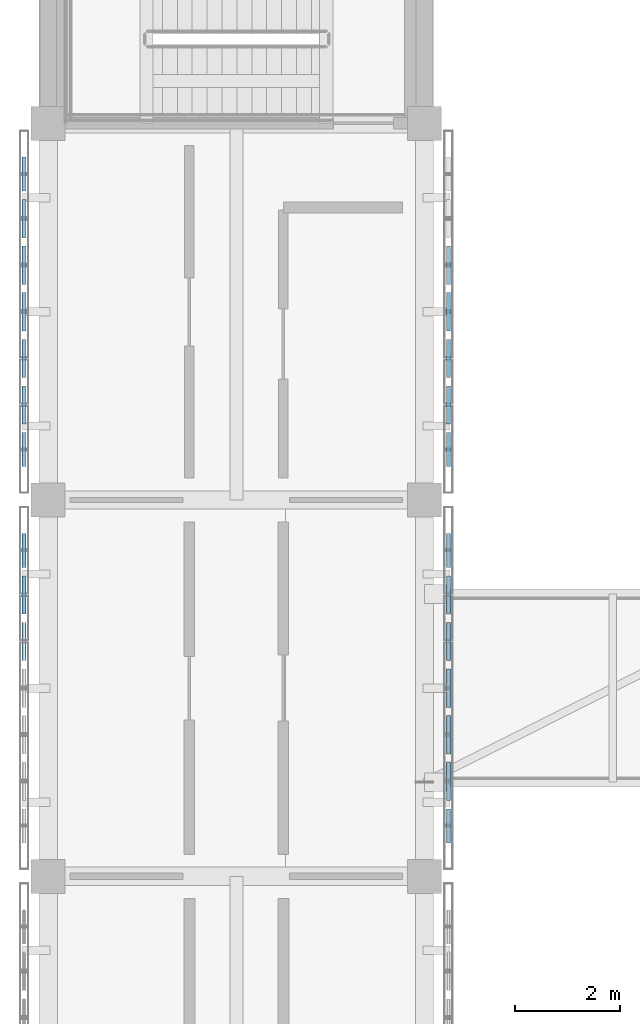
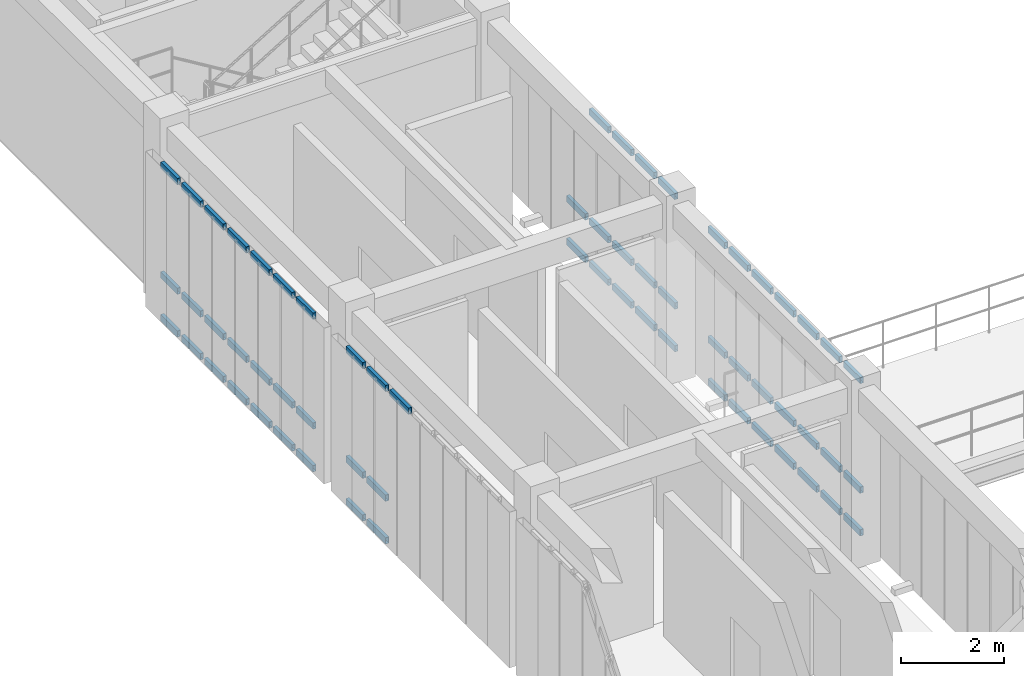
# One storey, part 28 of 91: 63 members, 4 elements without a shape of their own.
"""IFC4 building model written with IfcOpenShell, lengths in metres."""

from ifc_helpers import new_model, si_unit, direction, frame, origin, origin_2d, place, context, subcontext, project, spatial, hollow_rectangle, extrude, material, material_profile, profile_set, type_object, element, aggregate, save


model = new_model("IFC4")

# Units and contexts
model_context = context("Model", 3, precision=1e-05, world=origin(), true_north=direction((0.0, 1.0)))
body_context = subcontext(model_context, "Body", "Model", "MODEL_VIEW")
ifc_project = project(units=[si_unit("LENGTHUNIT", "METRE"), si_unit("AREAUNIT", "SQUARE_METRE"), si_unit("VOLUMEUNIT", "CUBIC_METRE"), si_unit("PLANEANGLEUNIT", "RADIAN"), si_unit("MASSUNIT", "GRAM", prefix="KILO")], contexts=[model_context])

# Site, building, storey
site_placement = place(None, origin())
site = spatial("IfcSite", under=ifc_project, at=site_placement, CompositionType="ELEMENT")
building_placement = place(site_placement, origin())
building = spatial("IfcBuilding", under=site, at=building_placement, Name="Aldebral Square Health Centre", CompositionType="ELEMENT")
storey_placement = place(building_placement, frame((0.0, 0.0, 9.0)))
storey = spatial("IfcBuildingStorey", under=building, at=storey_placement, Name="L02", CompositionType="ELEMENT", Elevation=9.0)

# Curtain wall, members
ifc_material_1 = material(Name="Aluminium and low-E solar glass", Category="aluminium")
curtain_wall_type = type_object("IfcCurtainWallType", Name="CW-FIN-SYS", PredefinedType="USERDEFINED", material=ifc_material_1)
curtain_wall_1_placement = place(storey_placement, origin())
curtain_wall_1 = element("IfcCurtainWall", 1, at=curtain_wall_1_placement, inside=storey, type_object=curtain_wall_type, Name="L02 V4 finned curtain wall L02-V4-00-11-W", ObjectType="SOLAR_CURTAIN_WALL", PredefinedType="USERDEFINED")
ifc_material_2 = material(Name="Anodised aluminium transom", Category="aluminium")
ifc_material_profile = material_profile(ifc_material_2, hollow_rectangle(XDim=0.074951171875, YDim=0.14990234375, WallThickness=0.00390625, at=origin_2d()), Name="CWT 75x150x4")
ifc_profile_set = profile_set([ifc_material_profile], Name="Anodised aluminium transom")
member_type = type_object("IfcMemberType", Name="CWT-STD", PredefinedType="USERDEFINED", material=ifc_profile_set)
member_1_placement = place(storey_placement, frame((-0.4599609375, 85.760009765625, 0.03759765625), z_axis=(0.0, -1.0, 0.0), x_axis=(1.0, 0.0, 0.0)))
member_1 = element("IfcMember", 2, at=member_1_placement, type_object=member_type, Name="CW1 transom 1.1", ObjectType="TRANSOM", PredefinedType="USERDEFINED", context=body_context, shape_type="SweptSolid", body=[
    extrude(hollow_rectangle(XDim=0.074951171875, YDim=0.14990234375, WallThickness=0.00390625, at=origin_2d()), origin(), (0.0, 0.0, 1.0), 0.6513671875),
])
member_2_placement = place(storey_placement, frame((-0.4599609375, 85.760009765625, 1.050048828125), z_axis=(0.0, -1.0, 0.0), x_axis=(1.0, 0.0, 0.0)))
member_2 = element("IfcMember", 3, at=member_2_placement, type_object=member_type, Name="CW1 transom 1.2", ObjectType="TRANSOM", PredefinedType="USERDEFINED", context=body_context, shape_type="SweptSolid", body=[
    extrude(hollow_rectangle(XDim=0.074951171875, YDim=0.14990234375, WallThickness=0.00390625, at=origin_2d()), origin(), (0.0, 0.0, 1.0), 0.6513671875),
])
member_3_placement = place(storey_placement, frame((-0.4599609375, 85.760009765625, 3.652587890625), z_axis=(0.0, -1.0, 0.0), x_axis=(1.0, 0.0, 0.0)))
member_3 = element("IfcMember", 4, at=member_3_placement, type_object=member_type, Name="CW1 transom 1.3", ObjectType="TRANSOM", PredefinedType="USERDEFINED", context=body_context, shape_type="SweptSolid", body=[
    extrude(hollow_rectangle(XDim=0.074951171875, YDim=0.14990234375, WallThickness=0.00390625, at=origin_2d()), origin(), (0.0, 0.0, 1.0), 0.6513671875),
])
member_4_placement = place(storey_placement, frame((-0.4599609375, 84.948486328125, 0.03759765625), z_axis=(0.0, -1.0, 0.0), x_axis=(1.0, 0.0, 0.0)))
member_4 = element("IfcMember", 5, at=member_4_placement, type_object=member_type, Name="CW1 transom 2.1", ObjectType="TRANSOM", PredefinedType="USERDEFINED", context=body_context, shape_type="SweptSolid", body=[
    extrude(hollow_rectangle(XDim=0.074951171875, YDim=0.14990234375, WallThickness=0.00390625, at=origin_2d()), origin(), (0.0, 0.0, 1.0), 0.7314453125),
])
member_5_placement = place(storey_placement, frame((-0.4599609375, 84.948486328125, 1.050048828125), z_axis=(0.0, -1.0, 0.0), x_axis=(1.0, 0.0, 0.0)))
member_5 = element("IfcMember", 6, at=member_5_placement, type_object=member_type, Name="CW1 transom 2.2", ObjectType="TRANSOM", PredefinedType="USERDEFINED", context=body_context, shape_type="SweptSolid", body=[
    extrude(hollow_rectangle(XDim=0.074951171875, YDim=0.14990234375, WallThickness=0.00390625, at=origin_2d()), origin(), (0.0, 0.0, 1.0), 0.7314453125),
])
member_6_placement = place(storey_placement, frame((-0.4599609375, 84.948486328125, 3.652587890625), z_axis=(0.0, -1.0, 0.0), x_axis=(1.0, 0.0, 0.0)))
member_6 = element("IfcMember", 7, at=member_6_placement, type_object=member_type, Name="CW1 transom 2.3", ObjectType="TRANSOM", PredefinedType="USERDEFINED", context=body_context, shape_type="SweptSolid", body=[
    extrude(hollow_rectangle(XDim=0.074951171875, YDim=0.14990234375, WallThickness=0.00390625, at=origin_2d()), origin(), (0.0, 0.0, 1.0), 0.7314453125),
])
member_7_placement = place(storey_placement, frame((-0.4599609375, 84.05712890625, 3.652587890625), z_axis=(0.0, -1.0, 0.0), x_axis=(1.0, 0.0, 0.0)))
member_7 = element("IfcMember", 8, at=member_7_placement, type_object=member_type, Name="CW1 transom 3.3", ObjectType="TRANSOM", PredefinedType="USERDEFINED", context=body_context, shape_type="SweptSolid", body=[
    extrude(hollow_rectangle(XDim=0.074951171875, YDim=0.14990234375, WallThickness=0.00390625, at=origin_2d()), origin(), (0.0, 0.0, 1.0), 0.7314453125),
])
aggregate(curtain_wall_1, [member_1, member_2, member_3, member_4, member_5, member_6, member_7])

curtain_wall_2_placement = place(storey_placement, origin())
curtain_wall_2 = element("IfcCurtainWall", 9, at=curtain_wall_2_placement, inside=storey, type_object=curtain_wall_type, Name="L02 V4 finned curtain wall L02-V4-00-11-E", ObjectType="SOLAR_CURTAIN_WALL", PredefinedType="USERDEFINED")
member_8_placement = place(storey_placement, frame((7.659912109375, 79.840087890625, 0.03759765625), z_axis=(0.0, 1.0, 0.0), x_axis=(-1.0, 0.0, 0.0)))
member_8 = element("IfcMember", 10, at=member_8_placement, type_object=member_type, Name="CW1 transom 1.1", ObjectType="TRANSOM", PredefinedType="USERDEFINED", context=body_context, shape_type="SweptSolid", body=[
    extrude(hollow_rectangle(XDim=0.074951171875, YDim=0.14990234375, WallThickness=0.00390625, at=origin_2d()), origin(), (0.0, 0.0, 1.0), 0.6513671875),
])
member_9_placement = place(storey_placement, frame((7.659912109375, 79.840087890625, 1.050048828125), z_axis=(0.0, 1.0, 0.0), x_axis=(-1.0, 0.0, 0.0)))
member_9 = element("IfcMember", 11, at=member_9_placement, type_object=member_type, Name="CW1 transom 1.2", ObjectType="TRANSOM", PredefinedType="USERDEFINED", context=body_context, shape_type="SweptSolid", body=[
    extrude(hollow_rectangle(XDim=0.074951171875, YDim=0.14990234375, WallThickness=0.00390625, at=origin_2d()), origin(), (0.0, 0.0, 1.0), 0.6513671875),
])
member_10_placement = place(storey_placement, frame((7.659912109375, 79.840087890625, 3.652587890625), z_axis=(0.0, 1.0, 0.0), x_axis=(-1.0, 0.0, 0.0)))
member_10 = element("IfcMember", 12, at=member_10_placement, type_object=member_type, Name="CW1 transom 1.3", ObjectType="TRANSOM", PredefinedType="USERDEFINED", context=body_context, shape_type="SweptSolid", body=[
    extrude(hollow_rectangle(XDim=0.074951171875, YDim=0.14990234375, WallThickness=0.00390625, at=origin_2d()), origin(), (0.0, 0.0, 1.0), 0.6513671875),
])
member_11_placement = place(storey_placement, frame((7.659912109375, 80.6513671875, 0.03759765625), z_axis=(0.0, 1.0, 0.0), x_axis=(-1.0, 0.0, 0.0)))
member_11 = element("IfcMember", 13, at=member_11_placement, type_object=member_type, Name="CW1 transom 2.1", ObjectType="TRANSOM", PredefinedType="USERDEFINED", context=body_context, shape_type="SweptSolid", body=[
    extrude(hollow_rectangle(XDim=0.074951171875, YDim=0.14990234375, WallThickness=0.00390625, at=origin_2d()), origin(), (0.0, 0.0, 1.0), 0.7314453125),
])
member_12_placement = place(storey_placement, frame((7.659912109375, 80.6513671875, 1.050048828125), z_axis=(0.0, 1.0, 0.0), x_axis=(-1.0, 0.0, 0.0)))
member_12 = element("IfcMember", 14, at=member_12_placement, type_object=member_type, Name="CW1 transom 2.2", ObjectType="TRANSOM", PredefinedType="USERDEFINED", context=body_context, shape_type="SweptSolid", body=[
    extrude(hollow_rectangle(XDim=0.074951171875, YDim=0.14990234375, WallThickness=0.00390625, at=origin_2d()), origin(), (0.0, 0.0, 1.0), 0.7314453125),
])
member_13_placement = place(storey_placement, frame((7.659912109375, 80.6513671875, 3.652587890625), z_axis=(0.0, 1.0, 0.0), x_axis=(-1.0, 0.0, 0.0)))
member_13 = element("IfcMember", 15, at=member_13_placement, type_object=member_type, Name="CW1 transom 2.3", ObjectType="TRANSOM", PredefinedType="USERDEFINED", context=body_context, shape_type="SweptSolid", body=[
    extrude(hollow_rectangle(XDim=0.074951171875, YDim=0.14990234375, WallThickness=0.00390625, at=origin_2d()), origin(), (0.0, 0.0, 1.0), 0.7314453125),
])
member_14_placement = place(storey_placement, frame((7.659912109375, 81.54296875, 0.03759765625), z_axis=(0.0, 1.0, 0.0), x_axis=(-1.0, 0.0, 0.0)))
member_14 = element("IfcMember", 16, at=member_14_placement, type_object=member_type, Name="CW1 transom 3.1", ObjectType="TRANSOM", PredefinedType="USERDEFINED", context=body_context, shape_type="SweptSolid", body=[
    extrude(hollow_rectangle(XDim=0.074951171875, YDim=0.14990234375, WallThickness=0.00390625, at=origin_2d()), origin(), (0.0, 0.0, 1.0), 0.731201171875),
])
member_15_placement = place(storey_placement, frame((7.659912109375, 81.54296875, 1.050048828125), z_axis=(0.0, 1.0, 0.0), x_axis=(-1.0, 0.0, 0.0)))
member_15 = element("IfcMember", 17, at=member_15_placement, type_object=member_type, Name="CW1 transom 3.2", ObjectType="TRANSOM", PredefinedType="USERDEFINED", context=body_context, shape_type="SweptSolid", body=[
    extrude(hollow_rectangle(XDim=0.074951171875, YDim=0.14990234375, WallThickness=0.00390625, at=origin_2d()), origin(), (0.0, 0.0, 1.0), 0.731201171875),
])
member_16_placement = place(storey_placement, frame((7.659912109375, 81.54296875, 3.652587890625), z_axis=(0.0, 1.0, 0.0), x_axis=(-1.0, 0.0, 0.0)))
member_16 = element("IfcMember", 18, at=member_16_placement, type_object=member_type, Name="CW1 transom 3.3", ObjectType="TRANSOM", PredefinedType="USERDEFINED", context=body_context, shape_type="SweptSolid", body=[
    extrude(hollow_rectangle(XDim=0.074951171875, YDim=0.14990234375, WallThickness=0.00390625, at=origin_2d()), origin(), (0.0, 0.0, 1.0), 0.731201171875),
])
member_17_placement = place(storey_placement, frame((7.659912109375, 82.434326171875, 0.03759765625), z_axis=(0.0, 1.0, 0.0), x_axis=(-1.0, 0.0, 0.0)))
member_17 = element("IfcMember", 19, at=member_17_placement, type_object=member_type, Name="CW1 transom 4.1", ObjectType="TRANSOM", PredefinedType="USERDEFINED", context=body_context, shape_type="SweptSolid", body=[
    extrude(hollow_rectangle(XDim=0.074951171875, YDim=0.14990234375, WallThickness=0.00390625, at=origin_2d()), origin(), (0.0, 0.0, 1.0), 0.7314453125),
])
member_18_placement = place(storey_placement, frame((7.659912109375, 82.434326171875, 1.050048828125), z_axis=(0.0, 1.0, 0.0), x_axis=(-1.0, 0.0, 0.0)))
member_18 = element("IfcMember", 20, at=member_18_placement, type_object=member_type, Name="CW1 transom 4.2", ObjectType="TRANSOM", PredefinedType="USERDEFINED", context=body_context, shape_type="SweptSolid", body=[
    extrude(hollow_rectangle(XDim=0.074951171875, YDim=0.14990234375, WallThickness=0.00390625, at=origin_2d()), origin(), (0.0, 0.0, 1.0), 0.7314453125),
])
member_19_placement = place(storey_placement, frame((7.659912109375, 82.434326171875, 3.652587890625), z_axis=(0.0, 1.0, 0.0), x_axis=(-1.0, 0.0, 0.0)))
member_19 = element("IfcMember", 21, at=member_19_placement, type_object=member_type, Name="CW1 transom 4.3", ObjectType="TRANSOM", PredefinedType="USERDEFINED", context=body_context, shape_type="SweptSolid", body=[
    extrude(hollow_rectangle(XDim=0.074951171875, YDim=0.14990234375, WallThickness=0.00390625, at=origin_2d()), origin(), (0.0, 0.0, 1.0), 0.7314453125),
])
member_20_placement = place(storey_placement, frame((7.659912109375, 83.32568359375, 0.03759765625), z_axis=(0.0, 1.0, 0.0), x_axis=(-1.0, 0.0, 0.0)))
member_20 = element("IfcMember", 22, at=member_20_placement, type_object=member_type, Name="CW1 transom 5.1", ObjectType="TRANSOM", PredefinedType="USERDEFINED", context=body_context, shape_type="SweptSolid", body=[
    extrude(hollow_rectangle(XDim=0.074951171875, YDim=0.14990234375, WallThickness=0.00390625, at=origin_2d()), origin(), (0.0, 0.0, 1.0), 0.7314453125),
])
member_21_placement = place(storey_placement, frame((7.659912109375, 83.32568359375, 1.050048828125), z_axis=(0.0, 1.0, 0.0), x_axis=(-1.0, 0.0, 0.0)))
member_21 = element("IfcMember", 23, at=member_21_placement, type_object=member_type, Name="CW1 transom 5.2", ObjectType="TRANSOM", PredefinedType="USERDEFINED", context=body_context, shape_type="SweptSolid", body=[
    extrude(hollow_rectangle(XDim=0.074951171875, YDim=0.14990234375, WallThickness=0.00390625, at=origin_2d()), origin(), (0.0, 0.0, 1.0), 0.7314453125),
])
member_22_placement = place(storey_placement, frame((7.659912109375, 83.32568359375, 3.652587890625), z_axis=(0.0, 1.0, 0.0), x_axis=(-1.0, 0.0, 0.0)))
member_22 = element("IfcMember", 24, at=member_22_placement, type_object=member_type, Name="CW1 transom 5.3", ObjectType="TRANSOM", PredefinedType="USERDEFINED", context=body_context, shape_type="SweptSolid", body=[
    extrude(hollow_rectangle(XDim=0.074951171875, YDim=0.14990234375, WallThickness=0.00390625, at=origin_2d()), origin(), (0.0, 0.0, 1.0), 0.7314453125),
])
member_23_placement = place(storey_placement, frame((7.659912109375, 84.217041015625, 0.03759765625), z_axis=(0.0, 1.0, 0.0), x_axis=(-1.0, 0.0, 0.0)))
member_23 = element("IfcMember", 25, at=member_23_placement, type_object=member_type, Name="CW1 transom 6.1", ObjectType="TRANSOM", PredefinedType="USERDEFINED", context=body_context, shape_type="SweptSolid", body=[
    extrude(hollow_rectangle(XDim=0.074951171875, YDim=0.14990234375, WallThickness=0.00390625, at=origin_2d()), origin(), (0.0, 0.0, 1.0), 0.7314453125),
])
member_24_placement = place(storey_placement, frame((7.659912109375, 84.217041015625, 1.050048828125), z_axis=(0.0, 1.0, 0.0), x_axis=(-1.0, 0.0, 0.0)))
member_24 = element("IfcMember", 26, at=member_24_placement, type_object=member_type, Name="CW1 transom 6.2", ObjectType="TRANSOM", PredefinedType="USERDEFINED", context=body_context, shape_type="SweptSolid", body=[
    extrude(hollow_rectangle(XDim=0.074951171875, YDim=0.14990234375, WallThickness=0.00390625, at=origin_2d()), origin(), (0.0, 0.0, 1.0), 0.7314453125),
])
member_25_placement = place(storey_placement, frame((7.659912109375, 84.217041015625, 3.652587890625), z_axis=(0.0, 1.0, 0.0), x_axis=(-1.0, 0.0, 0.0)))
member_25 = element("IfcMember", 27, at=member_25_placement, type_object=member_type, Name="CW1 transom 6.3", ObjectType="TRANSOM", PredefinedType="USERDEFINED", context=body_context, shape_type="SweptSolid", body=[
    extrude(hollow_rectangle(XDim=0.074951171875, YDim=0.14990234375, WallThickness=0.00390625, at=origin_2d()), origin(), (0.0, 0.0, 1.0), 0.7314453125),
])
member_26_placement = place(storey_placement, frame((7.659912109375, 85.108642578125, 0.03759765625), z_axis=(0.0, 1.0, 0.0), x_axis=(-1.0, 0.0, 0.0)))
member_26 = element("IfcMember", 28, at=member_26_placement, type_object=member_type, Name="CW1 transom 7.1", ObjectType="TRANSOM", PredefinedType="USERDEFINED", context=body_context, shape_type="SweptSolid", body=[
    extrude(hollow_rectangle(XDim=0.074951171875, YDim=0.14990234375, WallThickness=0.00390625, at=origin_2d()), origin(), (0.0, 0.0, 1.0), 0.6513671875),
])
member_27_placement = place(storey_placement, frame((7.659912109375, 85.108642578125, 1.050048828125), z_axis=(0.0, 1.0, 0.0), x_axis=(-1.0, 0.0, 0.0)))
member_27 = element("IfcMember", 29, at=member_27_placement, type_object=member_type, Name="CW1 transom 7.2", ObjectType="TRANSOM", PredefinedType="USERDEFINED", context=body_context, shape_type="SweptSolid", body=[
    extrude(hollow_rectangle(XDim=0.074951171875, YDim=0.14990234375, WallThickness=0.00390625, at=origin_2d()), origin(), (0.0, 0.0, 1.0), 0.6513671875),
])
member_28_placement = place(storey_placement, frame((7.659912109375, 85.108642578125, 3.652587890625), z_axis=(0.0, 1.0, 0.0), x_axis=(-1.0, 0.0, 0.0)))
member_28 = element("IfcMember", 30, at=member_28_placement, type_object=member_type, Name="CW1 transom 7.3", ObjectType="TRANSOM", PredefinedType="USERDEFINED", context=body_context, shape_type="SweptSolid", body=[
    extrude(hollow_rectangle(XDim=0.074951171875, YDim=0.14990234375, WallThickness=0.00390625, at=origin_2d()), origin(), (0.0, 0.0, 1.0), 0.6513671875),
])
aggregate(curtain_wall_2, [member_8, member_9, member_10, member_11, member_12, member_13, member_14, member_15, member_16, member_17, member_18, member_19, member_20, member_21, member_22, member_23, member_24, member_25, member_26, member_27, member_28])

curtain_wall_3_placement = place(storey_placement, origin())
curtain_wall_3 = element("IfcCurtainWall", 31, at=curtain_wall_3_placement, inside=storey, type_object=curtain_wall_type, Name="L02 V4 finned curtain wall L02-V4-00-12-W", ObjectType="SOLAR_CURTAIN_WALL", PredefinedType="USERDEFINED")
member_29_placement = place(storey_placement, frame((-0.4599609375, 92.9599609375, 0.03759765625), z_axis=(0.0, -1.0, 0.0), x_axis=(1.0, 0.0, 0.0)))
member_29 = element("IfcMember", 32, at=member_29_placement, type_object=member_type, Name="CW1 transom 1.1", ObjectType="TRANSOM", PredefinedType="USERDEFINED", context=body_context, shape_type="SweptSolid", body=[
    extrude(hollow_rectangle(XDim=0.074951171875, YDim=0.14990234375, WallThickness=0.00390625, at=origin_2d()), origin(), (0.0, 0.0, 1.0), 0.6513671875),
])
member_30_placement = place(storey_placement, frame((-0.4599609375, 92.9599609375, 1.050048828125), z_axis=(0.0, -1.0, 0.0), x_axis=(1.0, 0.0, 0.0)))
member_30 = element("IfcMember", 33, at=member_30_placement, type_object=member_type, Name="CW1 transom 1.2", ObjectType="TRANSOM", PredefinedType="USERDEFINED", context=body_context, shape_type="SweptSolid", body=[
    extrude(hollow_rectangle(XDim=0.074951171875, YDim=0.14990234375, WallThickness=0.00390625, at=origin_2d()), origin(), (0.0, 0.0, 1.0), 0.6513671875),
])
member_31_placement = place(storey_placement, frame((-0.4599609375, 92.9599609375, 3.652587890625), z_axis=(0.0, -1.0, 0.0), x_axis=(1.0, 0.0, 0.0)))
member_31 = element("IfcMember", 34, at=member_31_placement, type_object=member_type, Name="CW1 transom 1.3", ObjectType="TRANSOM", PredefinedType="USERDEFINED", context=body_context, shape_type="SweptSolid", body=[
    extrude(hollow_rectangle(XDim=0.074951171875, YDim=0.14990234375, WallThickness=0.00390625, at=origin_2d()), origin(), (0.0, 0.0, 1.0), 0.6513671875),
])
member_32_placement = place(storey_placement, frame((-0.4599609375, 92.148681640625, 0.03759765625), z_axis=(0.0, -1.0, 0.0), x_axis=(1.0, 0.0, 0.0)))
member_32 = element("IfcMember", 35, at=member_32_placement, type_object=member_type, Name="CW1 transom 2.1", ObjectType="TRANSOM", PredefinedType="USERDEFINED", context=body_context, shape_type="SweptSolid", body=[
    extrude(hollow_rectangle(XDim=0.074951171875, YDim=0.14990234375, WallThickness=0.00390625, at=origin_2d()), origin(), (0.0, 0.0, 1.0), 0.7314453125),
])
member_33_placement = place(storey_placement, frame((-0.4599609375, 92.148681640625, 1.050048828125), z_axis=(0.0, -1.0, 0.0), x_axis=(1.0, 0.0, 0.0)))
member_33 = element("IfcMember", 36, at=member_33_placement, type_object=member_type, Name="CW1 transom 2.2", ObjectType="TRANSOM", PredefinedType="USERDEFINED", context=body_context, shape_type="SweptSolid", body=[
    extrude(hollow_rectangle(XDim=0.074951171875, YDim=0.14990234375, WallThickness=0.00390625, at=origin_2d()), origin(), (0.0, 0.0, 1.0), 0.7314453125),
])
member_34_placement = place(storey_placement, frame((-0.4599609375, 92.148681640625, 3.652587890625), z_axis=(0.0, -1.0, 0.0), x_axis=(1.0, 0.0, 0.0)))
member_34 = element("IfcMember", 37, at=member_34_placement, type_object=member_type, Name="CW1 transom 2.3", ObjectType="TRANSOM", PredefinedType="USERDEFINED", context=body_context, shape_type="SweptSolid", body=[
    extrude(hollow_rectangle(XDim=0.074951171875, YDim=0.14990234375, WallThickness=0.00390625, at=origin_2d()), origin(), (0.0, 0.0, 1.0), 0.7314453125),
])
member_35_placement = place(storey_placement, frame((-0.4599609375, 91.257080078125, 0.03759765625), z_axis=(0.0, -1.0, 0.0), x_axis=(1.0, 0.0, 0.0)))
member_35 = element("IfcMember", 38, at=member_35_placement, type_object=member_type, Name="CW1 transom 3.1", ObjectType="TRANSOM", PredefinedType="USERDEFINED", context=body_context, shape_type="SweptSolid", body=[
    extrude(hollow_rectangle(XDim=0.074951171875, YDim=0.14990234375, WallThickness=0.00390625, at=origin_2d()), origin(), (0.0, 0.0, 1.0), 0.7314453125),
])
member_36_placement = place(storey_placement, frame((-0.4599609375, 91.257080078125, 1.050048828125), z_axis=(0.0, -1.0, 0.0), x_axis=(1.0, 0.0, 0.0)))
member_36 = element("IfcMember", 39, at=member_36_placement, type_object=member_type, Name="CW1 transom 3.2", ObjectType="TRANSOM", PredefinedType="USERDEFINED", context=body_context, shape_type="SweptSolid", body=[
    extrude(hollow_rectangle(XDim=0.074951171875, YDim=0.14990234375, WallThickness=0.00390625, at=origin_2d()), origin(), (0.0, 0.0, 1.0), 0.7314453125),
])
member_37_placement = place(storey_placement, frame((-0.4599609375, 91.257080078125, 3.652587890625), z_axis=(0.0, -1.0, 0.0), x_axis=(1.0, 0.0, 0.0)))
member_37 = element("IfcMember", 40, at=member_37_placement, type_object=member_type, Name="CW1 transom 3.3", ObjectType="TRANSOM", PredefinedType="USERDEFINED", context=body_context, shape_type="SweptSolid", body=[
    extrude(hollow_rectangle(XDim=0.074951171875, YDim=0.14990234375, WallThickness=0.00390625, at=origin_2d()), origin(), (0.0, 0.0, 1.0), 0.7314453125),
])
member_38_placement = place(storey_placement, frame((-0.4599609375, 90.36572265625, 0.03759765625), z_axis=(0.0, -1.0, 0.0), x_axis=(1.0, 0.0, 0.0)))
member_38 = element("IfcMember", 41, at=member_38_placement, type_object=member_type, Name="CW1 transom 4.1", ObjectType="TRANSOM", PredefinedType="USERDEFINED", context=body_context, shape_type="SweptSolid", body=[
    extrude(hollow_rectangle(XDim=0.074951171875, YDim=0.14990234375, WallThickness=0.00390625, at=origin_2d()), origin(), (0.0, 0.0, 1.0), 0.7314453125),
])
member_39_placement = place(storey_placement, frame((-0.4599609375, 90.36572265625, 1.050048828125), z_axis=(0.0, -1.0, 0.0), x_axis=(1.0, 0.0, 0.0)))
member_39 = element("IfcMember", 42, at=member_39_placement, type_object=member_type, Name="CW1 transom 4.2", ObjectType="TRANSOM", PredefinedType="USERDEFINED", context=body_context, shape_type="SweptSolid", body=[
    extrude(hollow_rectangle(XDim=0.074951171875, YDim=0.14990234375, WallThickness=0.00390625, at=origin_2d()), origin(), (0.0, 0.0, 1.0), 0.7314453125),
])
member_40_placement = place(storey_placement, frame((-0.4599609375, 90.36572265625, 3.652587890625), z_axis=(0.0, -1.0, 0.0), x_axis=(1.0, 0.0, 0.0)))
member_40 = element("IfcMember", 43, at=member_40_placement, type_object=member_type, Name="CW1 transom 4.3", ObjectType="TRANSOM", PredefinedType="USERDEFINED", context=body_context, shape_type="SweptSolid", body=[
    extrude(hollow_rectangle(XDim=0.074951171875, YDim=0.14990234375, WallThickness=0.00390625, at=origin_2d()), origin(), (0.0, 0.0, 1.0), 0.7314453125),
])
member_41_placement = place(storey_placement, frame((-0.4599609375, 89.474365234375, 0.03759765625), z_axis=(0.0, -1.0, 0.0), x_axis=(1.0, 0.0, 0.0)))
member_41 = element("IfcMember", 44, at=member_41_placement, type_object=member_type, Name="CW1 transom 5.1", ObjectType="TRANSOM", PredefinedType="USERDEFINED", context=body_context, shape_type="SweptSolid", body=[
    extrude(hollow_rectangle(XDim=0.074951171875, YDim=0.14990234375, WallThickness=0.00390625, at=origin_2d()), origin(), (0.0, 0.0, 1.0), 0.7314453125),
])
member_42_placement = place(storey_placement, frame((-0.4599609375, 89.474365234375, 1.050048828125), z_axis=(0.0, -1.0, 0.0), x_axis=(1.0, 0.0, 0.0)))
member_42 = element("IfcMember", 45, at=member_42_placement, type_object=member_type, Name="CW1 transom 5.2", ObjectType="TRANSOM", PredefinedType="USERDEFINED", context=body_context, shape_type="SweptSolid", body=[
    extrude(hollow_rectangle(XDim=0.074951171875, YDim=0.14990234375, WallThickness=0.00390625, at=origin_2d()), origin(), (0.0, 0.0, 1.0), 0.7314453125),
])
member_43_placement = place(storey_placement, frame((-0.4599609375, 89.474365234375, 3.652587890625), z_axis=(0.0, -1.0, 0.0), x_axis=(1.0, 0.0, 0.0)))
member_43 = element("IfcMember", 46, at=member_43_placement, type_object=member_type, Name="CW1 transom 5.3", ObjectType="TRANSOM", PredefinedType="USERDEFINED", context=body_context, shape_type="SweptSolid", body=[
    extrude(hollow_rectangle(XDim=0.074951171875, YDim=0.14990234375, WallThickness=0.00390625, at=origin_2d()), origin(), (0.0, 0.0, 1.0), 0.7314453125),
])
member_44_placement = place(storey_placement, frame((-0.4599609375, 88.582763671875, 0.03759765625), z_axis=(0.0, -1.0, 0.0), x_axis=(1.0, 0.0, 0.0)))
member_44 = element("IfcMember", 47, at=member_44_placement, type_object=member_type, Name="CW1 transom 6.1", ObjectType="TRANSOM", PredefinedType="USERDEFINED", context=body_context, shape_type="SweptSolid", body=[
    extrude(hollow_rectangle(XDim=0.074951171875, YDim=0.14990234375, WallThickness=0.00390625, at=origin_2d()), origin(), (0.0, 0.0, 1.0), 0.7314453125),
])
member_45_placement = place(storey_placement, frame((-0.4599609375, 88.582763671875, 1.050048828125), z_axis=(0.0, -1.0, 0.0), x_axis=(1.0, 0.0, 0.0)))
member_45 = element("IfcMember", 48, at=member_45_placement, type_object=member_type, Name="CW1 transom 6.2", ObjectType="TRANSOM", PredefinedType="USERDEFINED", context=body_context, shape_type="SweptSolid", body=[
    extrude(hollow_rectangle(XDim=0.074951171875, YDim=0.14990234375, WallThickness=0.00390625, at=origin_2d()), origin(), (0.0, 0.0, 1.0), 0.7314453125),
])
member_46_placement = place(storey_placement, frame((-0.4599609375, 88.582763671875, 3.652587890625), z_axis=(0.0, -1.0, 0.0), x_axis=(1.0, 0.0, 0.0)))
member_46 = element("IfcMember", 49, at=member_46_placement, type_object=member_type, Name="CW1 transom 6.3", ObjectType="TRANSOM", PredefinedType="USERDEFINED", context=body_context, shape_type="SweptSolid", body=[
    extrude(hollow_rectangle(XDim=0.074951171875, YDim=0.14990234375, WallThickness=0.00390625, at=origin_2d()), origin(), (0.0, 0.0, 1.0), 0.7314453125),
])
member_47_placement = place(storey_placement, frame((-0.4599609375, 87.69140625, 0.03759765625), z_axis=(0.0, -1.0, 0.0), x_axis=(1.0, 0.0, 0.0)))
member_47 = element("IfcMember", 50, at=member_47_placement, type_object=member_type, Name="CW1 transom 7.1", ObjectType="TRANSOM", PredefinedType="USERDEFINED", context=body_context, shape_type="SweptSolid", body=[
    extrude(hollow_rectangle(XDim=0.074951171875, YDim=0.14990234375, WallThickness=0.00390625, at=origin_2d()), origin(), (0.0, 0.0, 1.0), 0.6513671875),
])
member_48_placement = place(storey_placement, frame((-0.4599609375, 87.69140625, 1.050048828125), z_axis=(0.0, -1.0, 0.0), x_axis=(1.0, 0.0, 0.0)))
member_48 = element("IfcMember", 51, at=member_48_placement, type_object=member_type, Name="CW1 transom 7.2", ObjectType="TRANSOM", PredefinedType="USERDEFINED", context=body_context, shape_type="SweptSolid", body=[
    extrude(hollow_rectangle(XDim=0.074951171875, YDim=0.14990234375, WallThickness=0.00390625, at=origin_2d()), origin(), (0.0, 0.0, 1.0), 0.6513671875),
])
member_49_placement = place(storey_placement, frame((-0.4599609375, 87.69140625, 3.652587890625), z_axis=(0.0, -1.0, 0.0), x_axis=(1.0, 0.0, 0.0)))
member_49 = element("IfcMember", 52, at=member_49_placement, type_object=member_type, Name="CW1 transom 7.3", ObjectType="TRANSOM", PredefinedType="USERDEFINED", context=body_context, shape_type="SweptSolid", body=[
    extrude(hollow_rectangle(XDim=0.074951171875, YDim=0.14990234375, WallThickness=0.00390625, at=origin_2d()), origin(), (0.0, 0.0, 1.0), 0.6513671875),
])
aggregate(curtain_wall_3, [member_29, member_30, member_31, member_32, member_33, member_34, member_35, member_36, member_37, member_38, member_39, member_40, member_41, member_42, member_43, member_44, member_45, member_46, member_47, member_48, member_49])

curtain_wall_4_placement = place(storey_placement, origin())
curtain_wall_4 = element("IfcCurtainWall", 53, at=curtain_wall_4_placement, inside=storey, type_object=curtain_wall_type, Name="L02 V4 finned curtain wall L02-V4-00-12-E", ObjectType="SOLAR_CURTAIN_WALL", PredefinedType="USERDEFINED")
member_50_placement = place(storey_placement, frame((7.659912109375, 87.0400390625, 0.03759765625), z_axis=(0.0, 1.0, 0.0), x_axis=(-1.0, 0.0, 0.0)))
member_50 = element("IfcMember", 54, at=member_50_placement, type_object=member_type, Name="CW1 transom 1.1", ObjectType="TRANSOM", PredefinedType="USERDEFINED", context=body_context, shape_type="SweptSolid", body=[
    extrude(hollow_rectangle(XDim=0.074951171875, YDim=0.14990234375, WallThickness=0.00390625, at=origin_2d()), origin(), (0.0, 0.0, 1.0), 0.6513671875),
])
member_51_placement = place(storey_placement, frame((7.659912109375, 87.0400390625, 1.050048828125), z_axis=(0.0, 1.0, 0.0), x_axis=(-1.0, 0.0, 0.0)))
member_51 = element("IfcMember", 55, at=member_51_placement, type_object=member_type, Name="CW1 transom 1.2", ObjectType="TRANSOM", PredefinedType="USERDEFINED", context=body_context, shape_type="SweptSolid", body=[
    extrude(hollow_rectangle(XDim=0.074951171875, YDim=0.14990234375, WallThickness=0.00390625, at=origin_2d()), origin(), (0.0, 0.0, 1.0), 0.6513671875),
])
member_52_placement = place(storey_placement, frame((7.659912109375, 87.0400390625, 3.652587890625), z_axis=(0.0, 1.0, 0.0), x_axis=(-1.0, 0.0, 0.0)))
member_52 = element("IfcMember", 56, at=member_52_placement, type_object=member_type, Name="CW1 transom 1.3", ObjectType="TRANSOM", PredefinedType="USERDEFINED", context=body_context, shape_type="SweptSolid", body=[
    extrude(hollow_rectangle(XDim=0.074951171875, YDim=0.14990234375, WallThickness=0.00390625, at=origin_2d()), origin(), (0.0, 0.0, 1.0), 0.6513671875),
])
member_53_placement = place(storey_placement, frame((7.659912109375, 87.851318359375, 0.03759765625), z_axis=(0.0, 1.0, 0.0), x_axis=(-1.0, 0.0, 0.0)))
member_53 = element("IfcMember", 57, at=member_53_placement, type_object=member_type, Name="CW1 transom 2.1", ObjectType="TRANSOM", PredefinedType="USERDEFINED", context=body_context, shape_type="SweptSolid", body=[
    extrude(hollow_rectangle(XDim=0.074951171875, YDim=0.14990234375, WallThickness=0.00390625, at=origin_2d()), origin(), (0.0, 0.0, 1.0), 0.7314453125),
])
member_54_placement = place(storey_placement, frame((7.659912109375, 87.851318359375, 1.050048828125), z_axis=(0.0, 1.0, 0.0), x_axis=(-1.0, 0.0, 0.0)))
member_54 = element("IfcMember", 58, at=member_54_placement, type_object=member_type, Name="CW1 transom 2.2", ObjectType="TRANSOM", PredefinedType="USERDEFINED", context=body_context, shape_type="SweptSolid", body=[
    extrude(hollow_rectangle(XDim=0.074951171875, YDim=0.14990234375, WallThickness=0.00390625, at=origin_2d()), origin(), (0.0, 0.0, 1.0), 0.7314453125),
])
member_55_placement = place(storey_placement, frame((7.659912109375, 87.851318359375, 3.652587890625), z_axis=(0.0, 1.0, 0.0), x_axis=(-1.0, 0.0, 0.0)))
member_55 = element("IfcMember", 59, at=member_55_placement, type_object=member_type, Name="CW1 transom 2.3", ObjectType="TRANSOM", PredefinedType="USERDEFINED", context=body_context, shape_type="SweptSolid", body=[
    extrude(hollow_rectangle(XDim=0.074951171875, YDim=0.14990234375, WallThickness=0.00390625, at=origin_2d()), origin(), (0.0, 0.0, 1.0), 0.7314453125),
])
member_56_placement = place(storey_placement, frame((7.659912109375, 88.742919921875, 0.03759765625), z_axis=(0.0, 1.0, 0.0), x_axis=(-1.0, 0.0, 0.0)))
member_56 = element("IfcMember", 60, at=member_56_placement, type_object=member_type, Name="CW1 transom 3.1", ObjectType="TRANSOM", PredefinedType="USERDEFINED", context=body_context, shape_type="SweptSolid", body=[
    extrude(hollow_rectangle(XDim=0.074951171875, YDim=0.14990234375, WallThickness=0.00390625, at=origin_2d()), origin(), (0.0, 0.0, 1.0), 0.7314453125),
])
member_57_placement = place(storey_placement, frame((7.659912109375, 88.742919921875, 1.050048828125), z_axis=(0.0, 1.0, 0.0), x_axis=(-1.0, 0.0, 0.0)))
member_57 = element("IfcMember", 61, at=member_57_placement, type_object=member_type, Name="CW1 transom 3.2", ObjectType="TRANSOM", PredefinedType="USERDEFINED", context=body_context, shape_type="SweptSolid", body=[
    extrude(hollow_rectangle(XDim=0.074951171875, YDim=0.14990234375, WallThickness=0.00390625, at=origin_2d()), origin(), (0.0, 0.0, 1.0), 0.7314453125),
])
member_58_placement = place(storey_placement, frame((7.659912109375, 88.742919921875, 3.652587890625), z_axis=(0.0, 1.0, 0.0), x_axis=(-1.0, 0.0, 0.0)))
member_58 = element("IfcMember", 62, at=member_58_placement, type_object=member_type, Name="CW1 transom 3.3", ObjectType="TRANSOM", PredefinedType="USERDEFINED", context=body_context, shape_type="SweptSolid", body=[
    extrude(hollow_rectangle(XDim=0.074951171875, YDim=0.14990234375, WallThickness=0.00390625, at=origin_2d()), origin(), (0.0, 0.0, 1.0), 0.7314453125),
])
member_59_placement = place(storey_placement, frame((7.659912109375, 89.63427734375, 0.03759765625), z_axis=(0.0, 1.0, 0.0), x_axis=(-1.0, 0.0, 0.0)))
member_59 = element("IfcMember", 63, at=member_59_placement, type_object=member_type, Name="CW1 transom 4.1", ObjectType="TRANSOM", PredefinedType="USERDEFINED", context=body_context, shape_type="SweptSolid", body=[
    extrude(hollow_rectangle(XDim=0.074951171875, YDim=0.14990234375, WallThickness=0.00390625, at=origin_2d()), origin(), (0.0, 0.0, 1.0), 0.7314453125),
])
member_60_placement = place(storey_placement, frame((7.659912109375, 89.63427734375, 1.050048828125), z_axis=(0.0, 1.0, 0.0), x_axis=(-1.0, 0.0, 0.0)))
member_60 = element("IfcMember", 64, at=member_60_placement, type_object=member_type, Name="CW1 transom 4.2", ObjectType="TRANSOM", PredefinedType="USERDEFINED", context=body_context, shape_type="SweptSolid", body=[
    extrude(hollow_rectangle(XDim=0.074951171875, YDim=0.14990234375, WallThickness=0.00390625, at=origin_2d()), origin(), (0.0, 0.0, 1.0), 0.7314453125),
])
member_61_placement = place(storey_placement, frame((7.659912109375, 89.63427734375, 3.652587890625), z_axis=(0.0, 1.0, 0.0), x_axis=(-1.0, 0.0, 0.0)))
member_61 = element("IfcMember", 65, at=member_61_placement, type_object=member_type, Name="CW1 transom 4.3", ObjectType="TRANSOM", PredefinedType="USERDEFINED", context=body_context, shape_type="SweptSolid", body=[
    extrude(hollow_rectangle(XDim=0.074951171875, YDim=0.14990234375, WallThickness=0.00390625, at=origin_2d()), origin(), (0.0, 0.0, 1.0), 0.7314453125),
])
member_62_placement = place(storey_placement, frame((7.659912109375, 90.525634765625, 0.03759765625), z_axis=(0.0, 1.0, 0.0), x_axis=(-1.0, 0.0, 0.0)))
member_62 = element("IfcMember", 66, at=member_62_placement, type_object=member_type, Name="CW1 transom 5.1", ObjectType="TRANSOM", PredefinedType="USERDEFINED", context=body_context, shape_type="SweptSolid", body=[
    extrude(hollow_rectangle(XDim=0.074951171875, YDim=0.14990234375, WallThickness=0.00390625, at=origin_2d()), origin(), (0.0, 0.0, 1.0), 0.7314453125),
])
member_63_placement = place(storey_placement, frame((7.659912109375, 90.525634765625, 1.050048828125), z_axis=(0.0, 1.0, 0.0), x_axis=(-1.0, 0.0, 0.0)))
member_63 = element("IfcMember", 67, at=member_63_placement, type_object=member_type, Name="CW1 transom 5.2", ObjectType="TRANSOM", PredefinedType="USERDEFINED", context=body_context, shape_type="SweptSolid", body=[
    extrude(hollow_rectangle(XDim=0.074951171875, YDim=0.14990234375, WallThickness=0.00390625, at=origin_2d()), origin(), (0.0, 0.0, 1.0), 0.7314453125),
])
aggregate(curtain_wall_4, [member_50, member_51, member_52, member_53, member_54, member_55, member_56, member_57, member_58, member_59, member_60, member_61, member_62, member_63])

save(model, "model.ifc")
